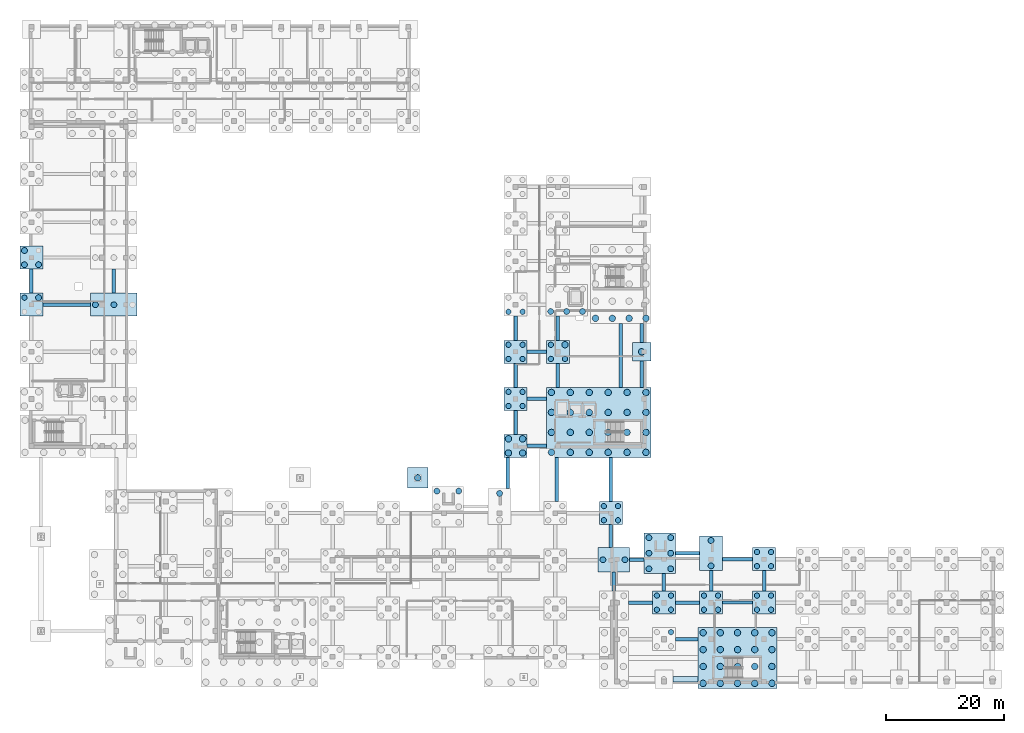
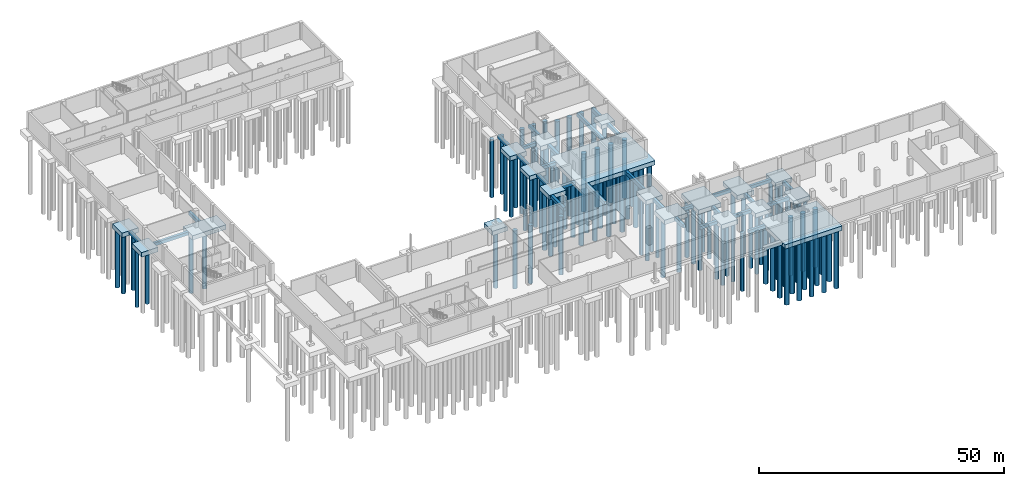
# One storey, part 3 of 31: 112 piles, 49 footings.
"""IFC4 building model written with IfcOpenShell, lengths in metres."""

from ifc_helpers import new_model, si_unit, direction, frame, origin, origin_2d, place, context, subcontext, project, spatial, rectangle, circle, extrude, material, material_profile, profile_set, type_object, element, save


model = new_model("IFC4")

# Units and contexts
model_context = context("Model", 3, precision=1e-05, world=origin(), true_north=direction((0.0, 1.0)))
body_context = subcontext(model_context, "Body", "Model", "MODEL_VIEW")
ifc_project = project(units=[si_unit("LENGTHUNIT", "METRE"), si_unit("AREAUNIT", "SQUARE_METRE"), si_unit("VOLUMEUNIT", "CUBIC_METRE"), si_unit("PLANEANGLEUNIT", "RADIAN"), si_unit("MASSUNIT", "GRAM", prefix="KILO")], contexts=[model_context])

# Site, building, storey
site_placement = place(None, origin())
site = spatial("IfcSite", under=ifc_project, at=site_placement, CompositionType="ELEMENT")
building_placement = place(site_placement, origin())
building = spatial("IfcBuilding", under=site, at=building_placement, Name="Qalavern Law Courts", CompositionType="ELEMENT")
storey_placement = place(building_placement, frame((0.0, 0.0, -8.39990234375)))
storey = spatial("IfcBuildingStorey", under=building, at=storey_placement, Name="B2", CompositionType="ELEMENT", Elevation=-8.39990234375)

# Footings
ifc_material = material(Name="Concrete C35/45", Category="concrete")
ifc_material_profile_1 = material_profile(ifc_material, rectangle(XDim=0.5, YDim=0.85009765625, at=origin_2d()), Name="RC 500x850")
ifc_profile_set_1 = profile_set([ifc_material_profile_1], Name="Concrete C35/45")
footing_type_1 = type_object("IfcFootingType", Name="STR-FB-500x850", PredefinedType="FOOTING_BEAM", material=ifc_profile_set_1)
footing_1_placement = place(storey_placement, frame((119.75, 14.800048828125, -0.925048828125), z_axis=(1.0, 0.0, 0.0), x_axis=(0.0, 1.0, 0.0)))
element("IfcFooting", 1, at=footing_1_placement, inside=storey, type_object=footing_type_1, Name="Seismic tie beam 036", PredefinedType="FOOTING_BEAM", context=body_context, shape_type="SweptSolid", body=[
    extrude(rectangle(XDim=0.5, YDim=0.85009765625, at=origin_2d()), origin(), (0.0, 0.0, 1.0), 5.10009765625),
])
ifc_material_profile_2 = material_profile(ifc_material, rectangle(XDim=0.60009765625, YDim=0.800048828125, at=origin_2d()), Name="RC 600x800")
ifc_profile_set_2 = profile_set([ifc_material_profile_2], Name="Concrete C35/45")
footing_type_2 = type_object("IfcFootingType", Name="STR-FB-600x800", PredefinedType="FOOTING_BEAM", material=ifc_profile_set_2)
footing_2_placement = place(storey_placement, frame((111.75, 8.60009765625, -0.900146484375), z_axis=(1.0, 0.0, 0.0), x_axis=(0.0, 1.0, 0.0)))
element("IfcFooting", 2, at=footing_2_placement, inside=storey, type_object=footing_type_2, Name="Seismic tie beam 002", PredefinedType="FOOTING_BEAM", context=body_context, shape_type="SweptSolid", body=[
    extrude(rectangle(XDim=0.60009765625, YDim=0.800048828125, at=origin_2d()), origin(), (0.0, 0.0, 1.0), 3.85498046875),
])
footing_3_placement = place(storey_placement, frame((103.77001953125, 14.800048828125, -0.900146484375), z_axis=(1.0, 0.0, 0.0), x_axis=(0.0, 1.0, 0.0)))
element("IfcFooting", 3, at=footing_3_placement, inside=storey, type_object=footing_type_2, Name="Seismic tie beam 023", PredefinedType="FOOTING_BEAM", context=body_context, shape_type="SweptSolid", body=[
    extrude(rectangle(XDim=0.60009765625, YDim=0.800048828125, at=origin_2d()), origin(), (0.0, 0.0, 1.0), 4.080078125),
])
footing_4_placement = place(storey_placement, frame((101.31005859375, 16.760009765625, -0.900146484375), z_axis=(0.0, 1.0, 0.0), x_axis=(-1.0, 0.0, 0.0)))
element("IfcFooting", 4, at=footing_4_placement, inside=storey, type_object=footing_type_2, Name="Seismic tie beam 024", PredefinedType="FOOTING_BEAM", context=body_context, shape_type="SweptSolid", body=[
    extrude(rectangle(XDim=0.60009765625, YDim=0.800048828125, at=origin_2d()), origin(), (0.0, 0.0, 1.0), 3.2900390625),
])
footing_5_placement = place(storey_placement, frame((111.75, 14.800048828125, -0.900146484375), z_axis=(1.0, 0.0, 0.0), x_axis=(0.0, 1.0, 0.0)))
element("IfcFooting", 5, at=footing_5_placement, inside=storey, type_object=footing_type_2, Name="Seismic tie beam 034", PredefinedType="FOOTING_BEAM", context=body_context, shape_type="SweptSolid", body=[
    extrude(rectangle(XDim=0.60009765625, YDim=0.800048828125, at=origin_2d()), origin(), (0.0, 0.0, 1.0), 4.10009765625),
])
footing_6_placement = place(storey_placement, frame((109.800048828125, 16.75, -0.900146484375), z_axis=(0.0, 1.0, 0.0), x_axis=(-1.0, 0.0, 0.0)))
element("IfcFooting", 6, at=footing_6_placement, inside=storey, type_object=footing_type_2, Name="Seismic tie beam 035", PredefinedType="FOOTING_BEAM", context=body_context, shape_type="SweptSolid", body=[
    extrude(rectangle(XDim=0.60009765625, YDim=0.800048828125, at=origin_2d()), origin(), (0.0, 0.0, 1.0), 3.0048828125),
])
for number, where, z_axis, x_axis, name in (
    (7, (117.800048828125, 16.75, -0.900146484375), (0.0, 1.0, 0.0), (-1.0, 0.0, 0.0), "Seismic tie beam 037"),
    (8, (126.800048828125, 16.75, -0.900146484375), (0.0, 1.0, 0.0), (-1.0, 0.0, 0.0), "Seismic tie beam 039"),
):
    element("IfcFooting", number, at=place(storey_placement, frame(where, z_axis=z_axis, x_axis=x_axis)), inside=storey, type_object=footing_type_2, Name=name, PredefinedType="FOOTING_BEAM", context=body_context, shape_type="SweptSolid", body=[
        extrude(rectangle(XDim=0.60009765625, YDim=0.800048828125, at=origin_2d()), origin(), (0.0, 0.0, 1.0), 3.5),
    ])
footing_7_placement = place(storey_placement, frame((103.97509765625, 22.10009765625, -0.900146484375), z_axis=(1.0, 0.0, 0.0), x_axis=(0.0, 1.0, 0.0)))
element("IfcFooting", 9, at=footing_7_placement, inside=storey, type_object=footing_type_2, Name="Seismic tie beam 055", PredefinedType="FOOTING_BEAM", context=body_context, shape_type="SweptSolid", body=[
    extrude(rectangle(XDim=0.60009765625, YDim=0.800048828125, at=origin_2d()), origin(), (0.0, 0.0, 1.0), 2.474853515625),
])
footing_8_placement = place(storey_placement, frame((111.75, 23.199951171875, -0.900146484375), z_axis=(1.0, 0.0, 0.0), x_axis=(0.0, 1.0, 0.0)))
element("IfcFooting", 10, at=footing_8_placement, inside=storey, type_object=footing_type_2, Name="Seismic tie beam 056", PredefinedType="FOOTING_BEAM", context=body_context, shape_type="SweptSolid", body=[
    extrude(rectangle(XDim=0.60009765625, YDim=0.800048828125, at=origin_2d()), origin(), (0.0, 0.0, 1.0), 4.10009765625),
])
footing_9_placement = place(storey_placement, frame((100.800048828125, 24.14990234375, -0.900146484375), z_axis=(0.0, 1.0, 0.0), x_axis=(-1.0, 0.0, 0.0)))
element("IfcFooting", 11, at=footing_9_placement, inside=storey, type_object=footing_type_2, Name="Seismic tie beam 069", PredefinedType="FOOTING_BEAM", context=body_context, shape_type="SweptSolid", body=[
    extrude(rectangle(XDim=0.60009765625, YDim=0.800048828125, at=origin_2d()), origin(), (0.0, 0.0, 1.0), 3.900146484375),
])
footing_10_placement = place(storey_placement, frame((119.75, 22.199951171875, -0.900146484375), z_axis=(1.0, 0.0, 0.0), x_axis=(0.0, 1.0, 0.0)))
element("IfcFooting", 12, at=footing_10_placement, inside=storey, type_object=footing_type_2, Name="Seismic tie beam 070", PredefinedType="FOOTING_BEAM", context=body_context, shape_type="SweptSolid", body=[
    extrude(rectangle(XDim=0.60009765625, YDim=0.800048828125, at=origin_2d()), origin(), (0.0, 0.0, 1.0), 5.10009765625),
])
footing_11_placement = place(storey_placement, frame((83.2451171875, 34.14990234375, -0.900146484375), z_axis=(0.0, 1.0, 0.0), x_axis=(-1.0, 0.0, 0.0)))
element("IfcFooting", 13, at=footing_11_placement, inside=storey, type_object=footing_type_2, Name="Seismic tie beam 084", PredefinedType="FOOTING_BEAM", context=body_context, shape_type="SweptSolid", body=[
    extrude(rectangle(XDim=0.60009765625, YDim=0.800048828125, at=origin_2d()), origin(), (0.0, 0.0, 1.0), 5.320068359375),
])
for number, where, z_axis, x_axis, name in (
    (14, (91.572998046875, 31.949951171875, -0.900146484375), (0.0, 1.0, 0.0), (-1.0, 0.0, 0.0), "Seismic tie beam 086"),
    (15, (100.800048828125, 31.949951171875, -0.900146484375), (0.0, 1.0, 0.0), (-1.0, 0.0, 0.0), "Seismic tie beam 087"),
):
    element("IfcFooting", number, at=place(storey_placement, frame(where, z_axis=z_axis, x_axis=x_axis)), inside=storey, type_object=footing_type_2, Name=name, PredefinedType="FOOTING_BEAM", context=body_context, shape_type="SweptSolid", body=[
        extrude(rectangle(XDim=0.60009765625, YDim=0.800048828125, at=origin_2d()), origin(), (0.0, 0.0, 1.0), 7.52001953125),
    ])
footing_12_placement = place(storey_placement, frame((86.550048828125, 41.419921875, -0.900146484375), z_axis=(1.0, 0.0, 0.0), x_axis=(0.0, 1.0, 0.0)))
element("IfcFooting", 16, at=footing_12_placement, inside=storey, type_object=footing_type_2, Name="Seismic tie beam 092", PredefinedType="FOOTING_BEAM", context=body_context, shape_type="SweptSolid", body=[
    extrude(rectangle(XDim=0.60009765625, YDim=0.800048828125, at=origin_2d()), origin(), (0.0, 0.0, 1.0), 3.300048828125),
])
footing_13_placement = place(storey_placement, frame((84.60009765625, 43.3701171875, -0.900146484375), z_axis=(0.0, 1.0, 0.0), x_axis=(-1.0, 0.0, 0.0)))
element("IfcFooting", 17, at=footing_13_placement, inside=storey, type_object=footing_type_2, Name="Seismic tie beam 093", PredefinedType="FOOTING_BEAM", context=body_context, shape_type="SweptSolid", body=[
    extrude(rectangle(XDim=0.60009765625, YDim=0.800048828125, at=origin_2d()), origin(), (0.0, 0.0, 1.0), 4.079833984375),
])
footing_14_placement = place(storey_placement, frame((86.550048828125, 49.39990234375, -0.900146484375), z_axis=(1.0, 0.0, 0.0), x_axis=(0.0, 1.0, 0.0)))
element("IfcFooting", 18, at=footing_14_placement, inside=storey, type_object=footing_type_2, Name="Seismic tie beam 094", PredefinedType="FOOTING_BEAM", context=body_context, shape_type="SweptSolid", body=[
    extrude(rectangle(XDim=0.60009765625, YDim=0.800048828125, at=origin_2d()), origin(), (0.0, 0.0, 1.0), 3.300048828125),
])
footing_15_placement = place(storey_placement, frame((91.800048828125, 51.35009765625, -0.900146484375), z_axis=(0.0, 1.0, 0.0), x_axis=(-1.0, 0.0, 0.0)))
element("IfcFooting", 19, at=footing_15_placement, inside=storey, type_object=footing_type_2, Name="Seismic tie beam 095", PredefinedType="FOOTING_BEAM", context=body_context, shape_type="SweptSolid", body=[
    extrude(rectangle(XDim=0.60009765625, YDim=0.800048828125, at=origin_2d()), origin(), (0.0, 0.0, 1.0), 4.099853515625),
])
footing_16_placement = place(storey_placement, frame((106.02490234375, 51.35009765625, -0.900146484375), z_axis=(0.0, 1.0, 0.0), x_axis=(-1.0, 0.0, 0.0)))
element("IfcFooting", 20, at=footing_16_placement, inside=storey, type_object=footing_type_2, Name="Seismic tie beam 096", PredefinedType="FOOTING_BEAM", context=body_context, shape_type="SweptSolid", body=[
    extrude(rectangle(XDim=0.60009765625, YDim=0.800048828125, at=origin_2d()), origin(), (0.0, 0.0, 1.0), 4.474853515625),
])
footing_17_placement = place(storey_placement, frame((102.462890625, 51.35009765625, -0.900146484375), z_axis=(0.0, 1.0, 0.0), x_axis=(-1.0, 0.0, 0.0)))
element("IfcFooting", 21, at=footing_17_placement, inside=storey, type_object=footing_type_2, Name="Seismic tie beam 097", PredefinedType="FOOTING_BEAM", context=body_context, shape_type="SweptSolid", body=[
    extrude(rectangle(XDim=0.60009765625, YDim=0.800048828125, at=origin_2d()), origin(), (0.0, 0.0, 1.0), 10.8837890625),
])
footing_18_placement = place(storey_placement, frame((84.60009765625, 51.35009765625, -0.900146484375), z_axis=(0.0, 1.0, 0.0), x_axis=(-1.0, 0.0, 0.0)))
element("IfcFooting", 22, at=footing_18_placement, inside=storey, type_object=footing_type_2, Name="Seismic tie beam 100", PredefinedType="FOOTING_BEAM", context=body_context, shape_type="SweptSolid", body=[
    extrude(rectangle(XDim=0.60009765625, YDim=0.800048828125, at=origin_2d()), origin(), (0.0, 0.0, 1.0), 4.099853515625),
])
footing_19_placement = place(storey_placement, frame((86.550048828125, 57.39990234375, -0.900146484375), z_axis=(1.0, 0.0, 0.0), x_axis=(0.0, 1.0, 0.0)))
element("IfcFooting", 23, at=footing_19_placement, inside=storey, type_object=footing_type_2, Name="Seismic tie beam 104", PredefinedType="FOOTING_BEAM", context=body_context, shape_type="SweptSolid", body=[
    extrude(rectangle(XDim=0.60009765625, YDim=0.800048828125, at=origin_2d()), origin(), (0.0, 0.0, 1.0), 3.300048828125),
])
for number, where, z_axis, x_axis, name in (
    (24, (84.60009765625, 59.35009765625, -0.900146484375), (0.0, 1.0, 0.0), (-1.0, 0.0, 0.0), "Seismic tie beam 105"),
    (25, (91.800048828125, 59.35009765625, -0.900146484375), (0.0, 1.0, 0.0), (-1.0, 0.0, 0.0), "Seismic tie beam 106"),
):
    element("IfcFooting", number, at=place(storey_placement, frame(where, z_axis=z_axis, x_axis=x_axis)), inside=storey, type_object=footing_type_2, Name=name, PredefinedType="FOOTING_BEAM", context=body_context, shape_type="SweptSolid", body=[
        extrude(rectangle(XDim=0.60009765625, YDim=0.800048828125, at=origin_2d()), origin(), (0.0, 0.0, 1.0), 4.099853515625),
    ])
footing_20_placement = place(storey_placement, frame((106.02490234375, 58.97509765625, -0.900146484375), z_axis=(0.0, 1.0, 0.0), x_axis=(-1.0, 0.0, 0.0)))
element("IfcFooting", 26, at=footing_20_placement, inside=storey, type_object=footing_type_2, Name="Seismic tie beam 107", PredefinedType="FOOTING_BEAM", context=body_context, shape_type="SweptSolid", body=[
    extrude(rectangle(XDim=0.60009765625, YDim=0.800048828125, at=origin_2d()), origin(), (0.0, 0.0, 1.0), 3.2587890625),
])
footing_21_placement = place(storey_placement, frame((4.35009765625, 65.39990234375, -0.900146484375), z_axis=(1.0, 0.0, 0.0), x_axis=(0.0, 1.0, 0.0)))
element("IfcFooting", 27, at=footing_21_placement, inside=storey, type_object=footing_type_2, Name="Seismic tie beam 109", PredefinedType="FOOTING_BEAM", context=body_context, shape_type="SweptSolid", body=[
    extrude(rectangle(XDim=0.60009765625, YDim=0.800048828125, at=origin_2d()), origin(), (0.0, 0.0, 1.0), 8.099853515625),
])
for number, where, z_axis, x_axis, name in (
    (28, (2.39990234375, 67.35009765625, -0.900146484375), (0.0, 1.0, 0.0), (-1.0, 0.0, 0.0), "Seismic tie beam 110"),
    (29, (16.39990234375, 67.35009765625, -0.900146484375), (0.0, 1.0, 0.0), (-1.0, 0.0, 0.0), "Seismic tie beam 111"),
):
    element("IfcFooting", number, at=place(storey_placement, frame(where, z_axis=z_axis, x_axis=x_axis)), inside=storey, type_object=footing_type_2, Name=name, PredefinedType="FOOTING_BEAM", context=body_context, shape_type="SweptSolid", body=[
        extrude(rectangle(XDim=0.60009765625, YDim=0.800048828125, at=origin_2d()), origin(), (0.0, 0.0, 1.0), 4.099853515625),
    ])
footing_type_3 = type_object("IfcFootingType", Name="STR-PC-13390x10300x1100", PredefinedType="PILE_CAP", material=ifc_material)
footing_22_placement = place(storey_placement, frame((122.300048828125, 5.39990234375, -1.60009765625), z_axis=(0.0, 0.0, 1.0), x_axis=(1.0, 0.0, 0.0)))
element("IfcFooting", 30, at=footing_22_placement, inside=storey, type_object=footing_type_3, Name="Pile cap 003", PredefinedType="PILE_CAP", context=body_context, shape_type="SweptSolid", body=[
    extrude(rectangle(XDim=13.389892578125, YDim=10.300048828125, at=origin_2d()), origin(), (0.0, 0.0, 1.0), 1.10009765625),
])
footing_type_4 = type_object("IfcFootingType", Name="STR-PC-17750x11880x1100", PredefinedType="PILE_CAP", material=ifc_material)
footing_23_placement = place(storey_placement, frame((98.72509765625, 45.409912109375, -1.60009765625), z_axis=(0.0, 0.0, 1.0), x_axis=(1.0, 0.0, 0.0)))
element("IfcFooting", 31, at=footing_23_placement, inside=storey, type_object=footing_type_4, Name="Pile cap 072", PredefinedType="PILE_CAP", context=body_context, shape_type="SweptSolid", body=[
    extrude(rectangle(XDim=17.75, YDim=11.8798828125, at=origin_2d()), origin(), (0.0, 0.0, 1.0), 1.10009765625),
])
footing_type_5 = type_object("IfcFootingType", Name="STR-PC-3150x3150x1100", PredefinedType="PILE_CAP", material=ifc_material)
footing_24_placement = place(storey_placement, frame((106.02490234375, 57.39990234375, -1.60009765625), z_axis=(0.0, 0.0, 1.0), x_axis=(1.0, 0.0, 0.0)))
element("IfcFooting", 32, at=footing_24_placement, inside=storey, type_object=footing_type_5, Name="Pile cap 081", PredefinedType="PILE_CAP", context=body_context, shape_type="SweptSolid", body=[
    extrude(rectangle(XDim=3.14990234375, YDim=3.14990234375, at=origin_2d()), origin(), (0.0, 0.0, 1.0), 1.10009765625),
])
footing_type_6 = type_object("IfcFootingType", Name="STR-PC-3500x3500x1100", PredefinedType="PILE_CAP", material=ifc_material)
footing_25_placement = place(storey_placement, frame((68.0, 36.0, -1.60009765625), z_axis=(0.0, 0.0, 1.0), x_axis=(1.0, 0.0, 0.0)))
element("IfcFooting", 33, at=footing_25_placement, inside=storey, type_object=footing_type_6, Name="Pile cap 068", PredefinedType="PILE_CAP", context=body_context, shape_type="SweptSolid", body=[
    extrude(rectangle(XDim=3.5, YDim=3.5, at=origin_2d()), origin(), (0.0, 0.0, 1.0), 1.10009765625),
])
footing_type_7 = type_object("IfcFootingType", Name="STR-PC-3900x3900x1100", PredefinedType="PILE_CAP", material=ifc_material)
for number, where, z_axis, x_axis, name in (
    (34, (109.800048828125, 14.800048828125, -1.60009765625), (0.0, 0.0, 1.0), (1.0, 0.0, 0.0), "Pile cap 030"),
    (35, (117.800048828125, 14.800048828125, -1.60009765625), (0.0, 0.0, 1.0), (1.0, 0.0, 0.0), "Pile cap 031"),
    (36, (126.800048828125, 14.800048828125, -1.60009765625), (0.0, 0.0, 1.0), (1.0, 0.0, 0.0), "Pile cap 032"),
    (37, (126.800048828125, 22.199951171875, -1.60009765625), (0.0, 0.0, 1.0), (1.0, 0.0, 0.0), "Pile cap 050"),
    (38, (100.800048828125, 30.0, -1.60009765625), (0.0, 0.0, 1.0), (1.0, 0.0, 0.0), "Pile cap 064"),
    (39, (84.60009765625, 41.419921875, -1.60009765625), (0.0, 0.0, 1.0), (1.0, 0.0, 0.0), "Pile cap 071"),
    (40, (84.60009765625, 49.39990234375, -1.60009765625), (0.0, 0.0, 1.0), (1.0, 0.0, 0.0), "Pile cap 075"),
    (41, (84.60009765625, 57.39990234375, -1.60009765625), (0.0, 0.0, 1.0), (1.0, 0.0, 0.0), "Pile cap 079"),
    (42, (91.800048828125, 57.39990234375, -1.60009765625), (0.0, 0.0, 1.0), (1.0, 0.0, 0.0), "Pile cap 080"),
    (43, (2.39990234375, 65.39990234375, -1.60009765625), (0.0, 0.0, 1.0), (1.0, 0.0, 0.0), "Pile cap 083"),
    (44, (2.39990234375, 73.39990234375, -1.60009765625), (0.0, 0.0, 1.0), (1.0, 0.0, 0.0), "Pile cap 089"),
):
    element("IfcFooting", number, at=place(storey_placement, frame(where, z_axis=z_axis, x_axis=x_axis)), inside=storey, type_object=footing_type_7, Name=name, PredefinedType="PILE_CAP", context=body_context, shape_type="SweptSolid", body=[
        extrude(rectangle(XDim=3.89990234375, YDim=3.89990234375, at=origin_2d()), origin(), (0.0, 0.0, 1.0), 1.10009765625),
    ])
footing_type_8 = type_object("IfcFootingType", Name="STR-PC-3900x5900x1100", PredefinedType="PILE_CAP", material=ifc_material)
footing_26_placement = place(storey_placement, frame((117.800048828125, 23.199951171875, -1.60009765625), z_axis=(0.0, 0.0, 1.0), x_axis=(1.0, 0.0, 0.0)))
element("IfcFooting", 45, at=footing_26_placement, inside=storey, type_object=footing_type_8, Name="Pile cap 049", PredefinedType="PILE_CAP", context=body_context, shape_type="SweptSolid", body=[
    extrude(rectangle(XDim=3.89990234375, YDim=5.89990234375, at=origin_2d()), origin(), (0.0, 0.0, 1.0), 1.10009765625),
])
footing_type_9 = type_object("IfcFootingType", Name="STR-PC-5300x6890x1100", PredefinedType="PILE_CAP", material=ifc_material)
footing_27_placement = place(storey_placement, frame((109.10009765625, 23.199951171875, -1.60009765625), z_axis=(0.0, 0.0, 1.0), x_axis=(1.0, 0.0, 0.0)))
element("IfcFooting", 46, at=footing_27_placement, inside=storey, type_object=footing_type_9, Name="Pile cap 041", PredefinedType="PILE_CAP", context=body_context, shape_type="SweptSolid", body=[
    extrude(rectangle(XDim=5.300048828125, YDim=6.889892578125, at=origin_2d()), origin(), (0.0, 0.0, 1.0), 1.10009765625),
])
footing_type_10 = type_object("IfcFootingType", Name="STR-PC-5330x4100x1100", PredefinedType="PILE_CAP", material=ifc_material)
footing_28_placement = place(storey_placement, frame((101.31005859375, 22.10009765625, -1.60009765625), z_axis=(0.0, 0.0, 1.0), x_axis=(1.0, 0.0, 0.0)))
element("IfcFooting", 47, at=footing_28_placement, inside=storey, type_object=footing_type_10, Name="Pile cap 048", PredefinedType="PILE_CAP", context=body_context, shape_type="SweptSolid", body=[
    extrude(rectangle(XDim=5.330078125, YDim=4.10009765625, at=origin_2d()), origin(), (0.0, 0.0, 1.0), 1.10009765625),
])
footing_type_11 = type_object("IfcFootingType", Name="STR-PC-7900x3900x1100", PredefinedType="PILE_CAP", material=ifc_material)
footing_29_placement = place(storey_placement, frame((16.39990234375, 65.39990234375, -1.60009765625), z_axis=(0.0, 0.0, 1.0), x_axis=(1.0, 0.0, 0.0)))
element("IfcFooting", 48, at=footing_29_placement, inside=storey, type_object=footing_type_11, Name="Pile cap 084", PredefinedType="PILE_CAP", context=body_context, shape_type="SweptSolid", body=[
    extrude(rectangle(XDim=7.89990234375, YDim=3.89990234375, at=origin_2d()), origin(), (0.0, 0.0, 1.0), 1.10009765625),
])

# Piles
ifc_material_profile_3 = material_profile(ifc_material, circle(Radius=0.5, at=origin_2d()), Name="BORED PILE 1000")
ifc_profile_set_3 = profile_set([ifc_material_profile_3], Name="Concrete C35/45")
pile_type_1 = type_object("IfcPileType", Name="STR-PILE-1000", PredefinedType="BORED", material=ifc_profile_set_3)
for number, where, z_axis, x_axis, name in (
    (49, (107.25, 20.554931640625, -1.5), (0.0, 0.0, -1.0), (1.0, 0.0, 0.0), "Bored pile 0199"),
    (50, (107.25, 23.199951171875, -1.5), (0.0, 0.0, -1.0), (1.0, 0.0, 0.0), "Bored pile 0200"),
    (51, (107.25, 25.844970703125, -1.5), (0.0, 0.0, -1.0), (1.0, 0.0, 0.0), "Bored pile 0201"),
    (52, (110.949951171875, 20.554931640625, -1.5), (0.0, 0.0, -1.0), (1.0, 0.0, 0.0), "Bored pile 0202"),
    (53, (110.949951171875, 23.199951171875, -1.5), (0.0, 0.0, -1.0), (1.0, 0.0, 0.0), "Bored pile 0203"),
    (54, (110.949951171875, 25.844970703125, -1.5), (0.0, 0.0, -1.0), (1.0, 0.0, 0.0), "Bored pile 0204"),
    (55, (99.445068359375, 22.10009765625, -1.5), (0.0, 0.0, -1.0), (1.0, 0.0, 0.0), "Bored pile 0229"),
    (56, (103.175048828125, 22.10009765625, -1.5), (0.0, 0.0, -1.0), (1.0, 0.0, 0.0), "Bored pile 0230"),
    (57, (117.800048828125, 21.050048828125, -1.5), (0.0, 0.0, -1.0), (1.0, 0.0, 0.0), "Bored pile 0231"),
    (58, (117.800048828125, 25.35009765625, -1.5), (0.0, 0.0, -1.0), (1.0, 0.0, 0.0), "Bored pile 0232"),
    (59, (71.25, 33.7451171875, -1.5), (0.0, 0.0, -1.0), (1.0, 0.0, 0.0), "Bored pile 0260"),
    (60, (74.949951171875, 33.7451171875, -1.5), (0.0, 0.0, -1.0), (1.0, 0.0, 0.0), "Bored pile 0263"),
    (61, (81.89111328125, 33.35009765625, -1.5), (0.0, 0.0, -1.0), (1.0, 0.0, 0.0), "Bored pile 0281"),
    (62, (3.60009765625, 66.60009765625, -1.5), (0.0, 0.0, -1.0), (1.0, 0.0, 0.0), "Bored pile 0391"),
    (63, (13.25, 65.39990234375, -1.5), (0.0, 0.0, -1.0), (1.0, 0.0, 0.0), "Bored pile 0392"),
    (64, (16.39990234375, 65.39990234375, -1.5), (0.0, 0.0, -1.0), (1.0, 0.0, 0.0), "Bored pile 0393"),
    (65, (90.56494140625, 64.25, -1.5), (0.0, 0.0, -1.0), (1.0, 0.0, 0.0), "Bored pile 0399"),
    (66, (93.27490234375, 64.25, -1.5), (0.0, 0.0, -1.0), (1.0, 0.0, 0.0), "Bored pile 0401"),
    (67, (95.985107421875, 64.25, -1.5), (0.0, 0.0, -1.0), (1.0, 0.0, 0.0), "Bored pile 0403"),
    (68, (1.199951171875, 72.199951171875, -1.5), (0.0, 0.0, -1.0), (1.0, 0.0, 0.0), "Bored pile 0413"),
    (69, (1.199951171875, 74.60009765625, -1.5), (0.0, 0.0, -1.0), (1.0, 0.0, 0.0), "Bored pile 0414"),
    (70, (3.60009765625, 72.199951171875, -1.5), (0.0, 0.0, -1.0), (1.0, 0.0, 0.0), "Bored pile 0415"),
):
    element("IfcPile", number, at=place(storey_placement, frame(where, z_axis=z_axis, x_axis=x_axis)), inside=storey, type_object=pile_type_1, Name=name, PredefinedType="BORED", context=body_context, shape_type="SweptSolid", body=[
        extrude(circle(Radius=0.5, at=origin_2d()), origin(), (0.0, 0.0, 1.0), 14.5),
    ])
ifc_material_profile_4 = material_profile(ifc_material, circle(Radius=0.550048828125, at=origin_2d()), Name="BORED PILE 1100")
ifc_profile_set_4 = profile_set([ifc_material_profile_4], Name="Concrete C35/45")
pile_type_2 = type_object("IfcPileType", Name="STR-PILE-1100", PredefinedType="BORED", material=ifc_profile_set_4)
for number, where, z_axis, x_axis, name in (
    (71, (116.455078125, 1.10009765625, -1.5), (0.0, 0.0, -1.0), (1.0, 0.0, 0.0), "Bored pile 0010"),
    (72, (116.455078125, 3.966796875, -1.5), (0.0, 0.0, -1.0), (1.0, 0.0, 0.0), "Bored pile 0011"),
    (73, (116.455078125, 6.833251953125, -1.5), (0.0, 0.0, -1.0), (1.0, 0.0, 0.0), "Bored pile 0012"),
    (74, (116.455078125, 9.699951171875, -1.5), (0.0, 0.0, -1.0), (1.0, 0.0, 0.0), "Bored pile 0013"),
    (75, (119.37744140625, 1.10009765625, -1.5), (0.0, 0.0, -1.0), (1.0, 0.0, 0.0), "Bored pile 0014"),
    (76, (119.37744140625, 3.966796875, -1.5), (0.0, 0.0, -1.0), (1.0, 0.0, 0.0), "Bored pile 0015"),
    (77, (119.37744140625, 6.833251953125, -1.5), (0.0, 0.0, -1.0), (1.0, 0.0, 0.0), "Bored pile 0016"),
    (78, (119.37744140625, 9.699951171875, -1.5), (0.0, 0.0, -1.0), (1.0, 0.0, 0.0), "Bored pile 0017"),
    (79, (122.300048828125, 1.10009765625, -1.5), (0.0, 0.0, -1.0), (1.0, 0.0, 0.0), "Bored pile 0018"),
    (80, (122.300048828125, 3.966796875, -1.5), (0.0, 0.0, -1.0), (1.0, 0.0, 0.0), "Bored pile 0019"),
    (81, (122.300048828125, 6.833251953125, -1.5), (0.0, 0.0, -1.0), (1.0, 0.0, 0.0), "Bored pile 0020"),
    (82, (122.300048828125, 9.699951171875, -1.5), (0.0, 0.0, -1.0), (1.0, 0.0, 0.0), "Bored pile 0021"),
    (83, (125.222412109375, 1.10009765625, -1.5), (0.0, 0.0, -1.0), (1.0, 0.0, 0.0), "Bored pile 0022"),
    (84, (125.222412109375, 3.966796875, -1.5), (0.0, 0.0, -1.0), (1.0, 0.0, 0.0), "Bored pile 0023"),
    (85, (125.222412109375, 6.833251953125, -1.5), (0.0, 0.0, -1.0), (1.0, 0.0, 0.0), "Bored pile 0024"),
    (86, (125.222412109375, 9.699951171875, -1.5), (0.0, 0.0, -1.0), (1.0, 0.0, 0.0), "Bored pile 0025"),
    (87, (128.14501953125, 1.10009765625, -1.5), (0.0, 0.0, -1.0), (1.0, 0.0, 0.0), "Bored pile 0026"),
    (88, (128.14501953125, 3.966796875, -1.5), (0.0, 0.0, -1.0), (1.0, 0.0, 0.0), "Bored pile 0027"),
    (89, (128.14501953125, 6.833251953125, -1.5), (0.0, 0.0, -1.0), (1.0, 0.0, 0.0), "Bored pile 0028"),
    (90, (128.14501953125, 9.699951171875, -1.5), (0.0, 0.0, -1.0), (1.0, 0.0, 0.0), "Bored pile 0029"),
    (91, (68.0, 36.0, -1.5), (0.0, 0.0, -1.0), (1.0, 0.0, 0.0), "Bored pile 0299"),
    (92, (83.39990234375, 40.219970703125, -1.5), (0.0, 0.0, -1.0), (1.0, 0.0, 0.0), "Bored pile 0311"),
    (93, (83.39990234375, 42.6201171875, -1.5), (0.0, 0.0, -1.0), (1.0, 0.0, 0.0), "Bored pile 0312"),
    (94, (85.800048828125, 40.219970703125, -1.5), (0.0, 0.0, -1.0), (1.0, 0.0, 0.0), "Bored pile 0313"),
    (95, (85.800048828125, 42.6201171875, -1.5), (0.0, 0.0, -1.0), (1.0, 0.0, 0.0), "Bored pile 0314"),
    (96, (90.699951171875, 40.320068359375, -1.5), (0.0, 0.0, -1.0), (1.0, 0.0, 0.0), "Bored pile 0315"),
    (97, (90.699951171875, 43.71337890625, -1.5), (0.0, 0.0, -1.0), (1.0, 0.0, 0.0), "Bored pile 0316"),
    (98, (90.699951171875, 47.106689453125, -1.5), (0.0, 0.0, -1.0), (1.0, 0.0, 0.0), "Bored pile 0317"),
    (99, (90.699951171875, 50.5, -1.5), (0.0, 0.0, -1.0), (1.0, 0.0, 0.0), "Bored pile 0318"),
    (100, (93.909912109375, 40.320068359375, -1.5), (0.0, 0.0, -1.0), (1.0, 0.0, 0.0), "Bored pile 0319"),
    (101, (93.909912109375, 43.71337890625, -1.5), (0.0, 0.0, -1.0), (1.0, 0.0, 0.0), "Bored pile 0320"),
    (102, (93.909912109375, 47.106689453125, -1.5), (0.0, 0.0, -1.0), (1.0, 0.0, 0.0), "Bored pile 0321"),
    (103, (93.909912109375, 50.5, -1.5), (0.0, 0.0, -1.0), (1.0, 0.0, 0.0), "Bored pile 0322"),
    (104, (97.1201171875, 40.320068359375, -1.5), (0.0, 0.0, -1.0), (1.0, 0.0, 0.0), "Bored pile 0323"),
    (105, (97.1201171875, 43.71337890625, -1.5), (0.0, 0.0, -1.0), (1.0, 0.0, 0.0), "Bored pile 0324"),
    (106, (97.1201171875, 47.106689453125, -1.5), (0.0, 0.0, -1.0), (1.0, 0.0, 0.0), "Bored pile 0325"),
    (107, (97.1201171875, 50.5, -1.5), (0.0, 0.0, -1.0), (1.0, 0.0, 0.0), "Bored pile 0326"),
    (108, (100.330078125, 40.320068359375, -1.5), (0.0, 0.0, -1.0), (1.0, 0.0, 0.0), "Bored pile 0327"),
    (109, (100.330078125, 43.71337890625, -1.5), (0.0, 0.0, -1.0), (1.0, 0.0, 0.0), "Bored pile 0328"),
    (110, (100.330078125, 47.106689453125, -1.5), (0.0, 0.0, -1.0), (1.0, 0.0, 0.0), "Bored pile 0329"),
    (111, (100.330078125, 50.5, -1.5), (0.0, 0.0, -1.0), (1.0, 0.0, 0.0), "Bored pile 0330"),
    (112, (103.5400390625, 40.320068359375, -1.5), (0.0, 0.0, -1.0), (1.0, 0.0, 0.0), "Bored pile 0331"),
    (113, (103.5400390625, 43.71337890625, -1.5), (0.0, 0.0, -1.0), (1.0, 0.0, 0.0), "Bored pile 0332"),
    (114, (103.5400390625, 47.106689453125, -1.5), (0.0, 0.0, -1.0), (1.0, 0.0, 0.0), "Bored pile 0333"),
    (115, (103.5400390625, 50.5, -1.5), (0.0, 0.0, -1.0), (1.0, 0.0, 0.0), "Bored pile 0334"),
    (116, (106.75, 40.320068359375, -1.5), (0.0, 0.0, -1.0), (1.0, 0.0, 0.0), "Bored pile 0335"),
    (117, (106.75, 43.71337890625, -1.5), (0.0, 0.0, -1.0), (1.0, 0.0, 0.0), "Bored pile 0336"),
    (118, (106.75, 47.106689453125, -1.5), (0.0, 0.0, -1.0), (1.0, 0.0, 0.0), "Bored pile 0337"),
    (119, (106.75, 50.5, -1.5), (0.0, 0.0, -1.0), (1.0, 0.0, 0.0), "Bored pile 0338"),
    (120, (93.0, 58.60009765625, -1.5), (0.0, 0.0, -1.0), (1.0, 0.0, 0.0), "Bored pile 0366"),
    (121, (106.02490234375, 57.39990234375, -1.5), (0.0, 0.0, -1.0), (1.0, 0.0, 0.0), "Bored pile 0367"),
    (122, (98.175048828125, 63.083984375, -1.5), (0.0, 0.0, -1.0), (1.0, 0.0, 0.0), "Bored pile 0368"),
    (123, (101.033203125, 63.083984375, -1.5), (0.0, 0.0, -1.0), (1.0, 0.0, 0.0), "Bored pile 0373"),
    (124, (103.8916015625, 63.083984375, -1.5), (0.0, 0.0, -1.0), (1.0, 0.0, 0.0), "Bored pile 0378"),
    (125, (106.75, 63.083984375, -1.5), (0.0, 0.0, -1.0), (1.0, 0.0, 0.0), "Bored pile 0383"),
):
    element("IfcPile", number, at=place(storey_placement, frame(where, z_axis=z_axis, x_axis=x_axis)), inside=storey, type_object=pile_type_2, Name=name, PredefinedType="BORED", context=body_context, shape_type="SweptSolid", body=[
        extrude(circle(Radius=0.550048828125, at=origin_2d()), origin(), (0.0, 0.0, 1.0), 14.5),
    ])
ifc_material_profile_5 = material_profile(ifc_material, circle(Radius=0.449951171875, at=origin_2d()), Name="BORED PILE 900")
ifc_profile_set_5 = profile_set([ifc_material_profile_5], Name="Concrete C35/45")
pile_type_3 = type_object("IfcPileType", Name="STR-PILE-900", PredefinedType="BORED", material=ifc_profile_set_5)
for number, where, z_axis, x_axis, name in (
    (126, (111.0, 9.800048828125, -1.5), (0.0, 0.0, -1.0), (1.0, 0.0, 0.0), "Bored pile 0107"),
    (127, (108.60009765625, 13.60009765625, -1.5), (0.0, 0.0, -1.0), (1.0, 0.0, 0.0), "Bored pile 0153"),
    (128, (108.60009765625, 16.0, -1.5), (0.0, 0.0, -1.0), (1.0, 0.0, 0.0), "Bored pile 0154"),
    (129, (111.0, 13.60009765625, -1.5), (0.0, 0.0, -1.0), (1.0, 0.0, 0.0), "Bored pile 0155"),
    (130, (111.0, 16.0, -1.5), (0.0, 0.0, -1.0), (1.0, 0.0, 0.0), "Bored pile 0156"),
    (131, (116.60009765625, 13.60009765625, -1.5), (0.0, 0.0, -1.0), (1.0, 0.0, 0.0), "Bored pile 0157"),
    (132, (116.60009765625, 16.0, -1.5), (0.0, 0.0, -1.0), (1.0, 0.0, 0.0), "Bored pile 0158"),
    (133, (119.0, 13.60009765625, -1.5), (0.0, 0.0, -1.0), (1.0, 0.0, 0.0), "Bored pile 0159"),
    (134, (119.0, 16.0, -1.5), (0.0, 0.0, -1.0), (1.0, 0.0, 0.0), "Bored pile 0160"),
    (135, (125.60009765625, 13.60009765625, -1.5), (0.0, 0.0, -1.0), (1.0, 0.0, 0.0), "Bored pile 0161"),
    (136, (125.60009765625, 16.0, -1.5), (0.0, 0.0, -1.0), (1.0, 0.0, 0.0), "Bored pile 0162"),
    (137, (128.0, 13.60009765625, -1.5), (0.0, 0.0, -1.0), (1.0, 0.0, 0.0), "Bored pile 0163"),
    (138, (128.0, 16.0, -1.5), (0.0, 0.0, -1.0), (1.0, 0.0, 0.0), "Bored pile 0164"),
    (139, (125.60009765625, 21.0, -1.5), (0.0, 0.0, -1.0), (1.0, 0.0, 0.0), "Bored pile 0233"),
    (140, (125.60009765625, 23.39990234375, -1.5), (0.0, 0.0, -1.0), (1.0, 0.0, 0.0), "Bored pile 0234"),
    (141, (128.0, 21.0, -1.5), (0.0, 0.0, -1.0), (1.0, 0.0, 0.0), "Bored pile 0235"),
    (142, (128.0, 23.39990234375, -1.5), (0.0, 0.0, -1.0), (1.0, 0.0, 0.0), "Bored pile 0236"),
    (143, (99.60009765625, 28.800048828125, -1.5), (0.0, 0.0, -1.0), (1.0, 0.0, 0.0), "Bored pile 0286"),
    (144, (99.60009765625, 31.199951171875, -1.5), (0.0, 0.0, -1.0), (1.0, 0.0, 0.0), "Bored pile 0287"),
    (145, (102.0, 28.800048828125, -1.5), (0.0, 0.0, -1.0), (1.0, 0.0, 0.0), "Bored pile 0288"),
    (146, (102.0, 31.199951171875, -1.5), (0.0, 0.0, -1.0), (1.0, 0.0, 0.0), "Bored pile 0289"),
    (147, (83.39990234375, 48.199951171875, -1.5), (0.0, 0.0, -1.0), (1.0, 0.0, 0.0), "Bored pile 0346"),
    (148, (83.39990234375, 50.60009765625, -1.5), (0.0, 0.0, -1.0), (1.0, 0.0, 0.0), "Bored pile 0347"),
    (149, (85.800048828125, 48.199951171875, -1.5), (0.0, 0.0, -1.0), (1.0, 0.0, 0.0), "Bored pile 0348"),
    (150, (85.800048828125, 50.60009765625, -1.5), (0.0, 0.0, -1.0), (1.0, 0.0, 0.0), "Bored pile 0349"),
    (151, (83.39990234375, 56.199951171875, -1.5), (0.0, 0.0, -1.0), (1.0, 0.0, 0.0), "Bored pile 0359"),
    (152, (83.39990234375, 58.60009765625, -1.5), (0.0, 0.0, -1.0), (1.0, 0.0, 0.0), "Bored pile 0360"),
    (153, (85.800048828125, 56.199951171875, -1.5), (0.0, 0.0, -1.0), (1.0, 0.0, 0.0), "Bored pile 0361"),
    (154, (85.800048828125, 58.60009765625, -1.5), (0.0, 0.0, -1.0), (1.0, 0.0, 0.0), "Bored pile 0362"),
    (155, (90.60009765625, 56.199951171875, -1.5), (0.0, 0.0, -1.0), (1.0, 0.0, 0.0), "Bored pile 0363"),
    (156, (90.60009765625, 58.60009765625, -1.5), (0.0, 0.0, -1.0), (1.0, 0.0, 0.0), "Bored pile 0364"),
    (157, (93.0, 56.199951171875, -1.5), (0.0, 0.0, -1.0), (1.0, 0.0, 0.0), "Bored pile 0365"),
    (158, (1.199951171875, 66.60009765625, -1.5), (0.0, 0.0, -1.0), (1.0, 0.0, 0.0), "Bored pile 0389"),
    (159, (83.39990234375, 64.199951171875, -1.5), (0.0, 0.0, -1.0), (1.0, 0.0, 0.0), "Bored pile 0395"),
    (160, (85.800048828125, 64.199951171875, -1.5), (0.0, 0.0, -1.0), (1.0, 0.0, 0.0), "Bored pile 0397"),
):
    element("IfcPile", number, at=place(storey_placement, frame(where, z_axis=z_axis, x_axis=x_axis)), inside=storey, type_object=pile_type_3, Name=name, PredefinedType="BORED", context=body_context, shape_type="SweptSolid", body=[
        extrude(circle(Radius=0.449951171875, at=origin_2d()), origin(), (0.0, 0.0, 1.0), 14.5),
    ])

# Footing
ifc_material_profile_6 = material_profile(ifc_material, rectangle(XDim=0.89990234375, YDim=0.699951171875, at=origin_2d()), Name="RC 900x700")
ifc_profile_set_6 = profile_set([ifc_material_profile_6], Name="Concrete C35/45")
footing_type_12 = type_object("IfcFootingType", Name="STR-SF-900x700", PredefinedType="STRIP_FOOTING", material=ifc_profile_set_6)
footing_30_placement = place(storey_placement, frame((111.35009765625, 1.800048828125, -0.85009765625), z_axis=(1.0, 0.0, 0.0), x_axis=(0.0, 1.0, 0.0)))
element("IfcFooting", 161, at=footing_30_placement, inside=storey, type_object=footing_type_12, Name="Perimeter strip footing 004", PredefinedType="STRIP_FOOTING", context=body_context, shape_type="SweptSolid", body=[
    extrude(rectangle(XDim=0.89990234375, YDim=0.699951171875, at=origin_2d()), origin(), (0.0, 0.0, 1.0), 4.2548828125),
])

save(model, "model.ifc")
